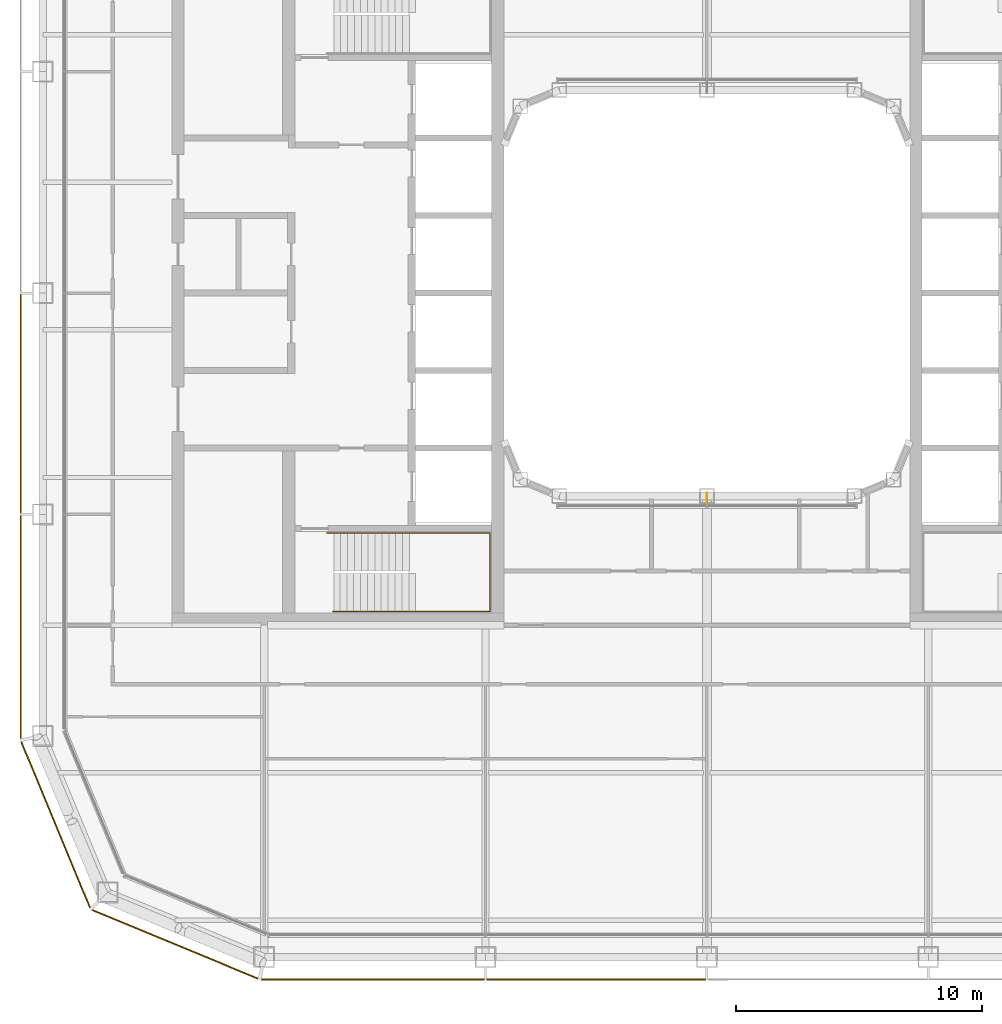
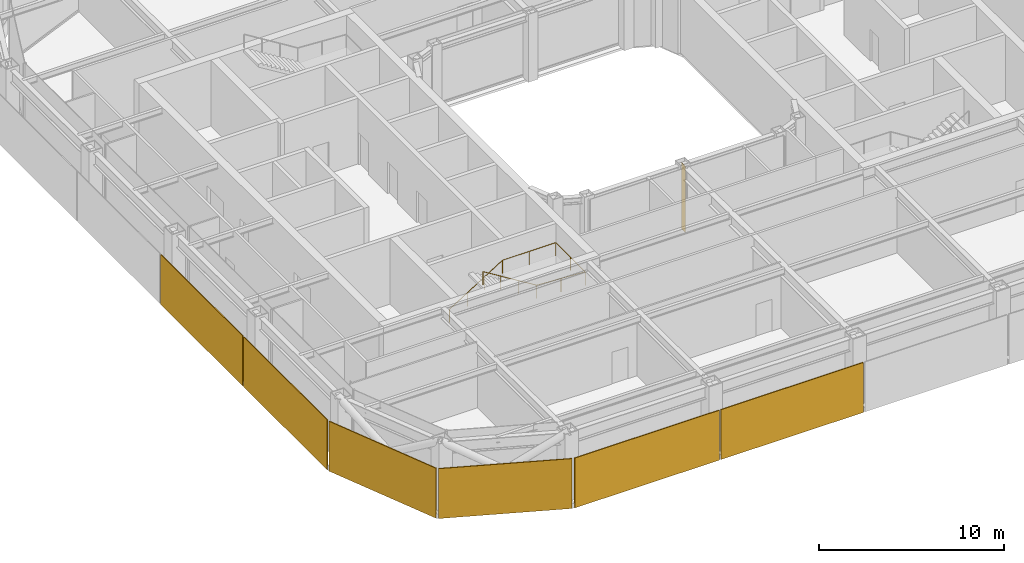
# One storey, part 19 of 23: 6 coverings, 1 railing, 1 shading device.
"""IFC4 building model written with IfcOpenShell, lengths in metres."""

from ifc_helpers import new_model, si_unit, direction, frame, origin, origin_2d, place, context, subcontext, project, spatial, rectangle, circle, extrude, material, layer, layer_set, type_object, element, save


model = new_model("IFC4")

# Units and contexts
model_context = context("Model", 3, precision=1e-05, world=origin(), true_north=direction((0.0, 1.0)))
body_context = subcontext(model_context, "Body", "Model", "MODEL_VIEW")
ifc_project = project(units=[si_unit("LENGTHUNIT", "METRE"), si_unit("AREAUNIT", "SQUARE_METRE"), si_unit("VOLUMEUNIT", "CUBIC_METRE"), si_unit("PLANEANGLEUNIT", "RADIAN"), si_unit("MASSUNIT", "GRAM", prefix="KILO")], contexts=[model_context])

# Site, building, storey
site_placement = place(None, origin())
site = spatial("IfcSite", under=ifc_project, at=site_placement, CompositionType="ELEMENT")
building_placement = place(site_placement, origin())
building = spatial("IfcBuilding", under=site, at=building_placement, Name="Siwar Civic Tower", CompositionType="ELEMENT")
storey_placement = place(building_placement, frame((0.0, 0.0, 206.199951171875)))
storey = spatial("IfcBuildingStorey", under=building, at=storey_placement, Name="L44", CompositionType="ELEMENT", Elevation=206.199951171875)

# Railing
ifc_material_1 = material(Name="Stainless steel", Category="steel")
railing_type = type_object("IfcRailingType", Name="CORE-STAIR-HANDRAIL", PredefinedType="HANDRAIL", material=ifc_material_1)
railing_placement = place(storey_placement, frame((-15.449951171875, -9.758056640625, 0.173095703125)))
element("IfcRailing", 1, at=railing_placement, inside=storey, type_object=railing_type, Name="Stair handrail ST2", PredefinedType="HANDRAIL", context=body_context, shape_type="SweptSolid", body=[
    extrude(circle(Radius=0.02001953125, at=origin_2d()), frame((0.0, 0.0, 0.8798828125), z_axis=(0.847063342986, 0.0, 0.531491950051), x_axis=(0.0, 1.0, 0.0)), (0.0, 0.0, 1.0), 3.90771484375),
    extrude(circle(Radius=0.02001953125, at=origin_2d()), frame((3.31005859375, 0.0, 2.956787109375), z_axis=(1.0, 0.0, 0.0), x_axis=(0.0, 1.0, 0.0)), (0.0, 0.0, 1.0), 3.331787109375),
    extrude(circle(Radius=0.02001953125, at=origin_2d()), frame((6.641845703125, 0.0, 2.956787109375), z_axis=(0.0, -1.0, 0.0), x_axis=(1.0, 0.0, 0.0)), (0.0, 0.0, 1.0), 3.183837890625),
    extrude(circle(Radius=0.02001953125, at=origin_2d()), frame((6.641845703125, -3.183837890625, 2.956787109375), z_axis=(-0.99837434197, 0.0, 0.056997134106), x_axis=(0.0, -1.0, 0.0)), (0.0, 0.0, 1.0), 3.036865234375),
    extrude(circle(Radius=0.02001953125, at=origin_2d()), frame((3.60986328125, -3.183837890625, 3.1298828125), z_axis=(-0.850606129759, 0.0, 0.525803396734), x_axis=(0.0, -1.0, 0.0)), (0.0, 0.0, 1.0), 3.949951171875),
    extrude(circle(Radius=0.02001953125, at=origin_2d()), origin(), (0.0, 0.0, 1.0), 0.85986328125),
    extrude(circle(Radius=0.02001953125, at=origin_2d()), frame((1.103271484375, 0.0, 0.6923828125)), (0.0, 0.0, 1.0), 0.85986328125),
    extrude(circle(Radius=0.02001953125, at=origin_2d()), frame((2.206787109375, 0.0, 1.384521484375)), (0.0, 0.0, 1.0), 0.85986328125),
    extrude(circle(Radius=0.02001953125, at=origin_2d()), frame((3.31005859375, 0.0, 2.076904296875)), (0.0, 0.0, 1.0), 0.85986328125),
    extrude(circle(Radius=0.02001953125, at=origin_2d()), frame((4.97607421875, 0.0, 2.076904296875)), (0.0, 0.0, 1.0), 0.85986328125),
    extrude(circle(Radius=0.02001953125, at=origin_2d()), frame((6.641845703125, 0.0, 2.076904296875)), (0.0, 0.0, 1.0), 0.85986328125),
    extrude(circle(Radius=0.02001953125, at=origin_2d()), frame((6.641845703125, -1.591796875, 2.076904296875)), (0.0, 0.0, 1.0), 0.85986328125),
    extrude(circle(Radius=0.02001953125, at=origin_2d()), frame((6.641845703125, -3.183837890625, 2.076904296875)), (0.0, 0.0, 1.0), 0.85986328125),
    extrude(circle(Radius=0.02001953125, at=origin_2d()), frame((5.1259765625, -3.183837890625, 2.16357421875)), (0.0, 0.0, 1.0), 0.85986328125),
    extrude(circle(Radius=0.02001953125, at=origin_2d()), frame((3.60986328125, -3.183837890625, 2.25)), (0.0, 0.0, 1.0), 0.85986328125),
    extrude(circle(Radius=0.02001953125, at=origin_2d()), frame((2.489990234375, -3.183837890625, 2.9423828125)), (0.0, 0.0, 1.0), 0.85986328125),
    extrude(circle(Radius=0.02001953125, at=origin_2d()), frame((1.369873046875, -3.183837890625, 3.634521484375)), (0.0, 0.0, 1.0), 0.85986328125),
    extrude(circle(Radius=0.02001953125, at=origin_2d()), frame((0.25, -3.183837890625, 4.326904296875)), (0.0, 0.0, 1.0), 0.85986328125),
])

# Shading device
ifc_material_2 = material(Name="Aluminium 6063-T6", Category="aluminium")
ifc_layer_1 = layer(ifc_material_2, 0.02001953125)
ifc_layer_set_1 = layer_set([ifc_layer_1], Name="Aluminium 6063-T6")
shading_device_type = type_object("IfcShadingDeviceType", Name="ENV-FIN", PredefinedType="JALOUSIE", material=ifc_layer_set_1)
shading_device_placement = place(storey_placement, frame((0.0, -8.344970703125, 0.0), z_axis=(0.0, 0.0, 1.0), x_axis=(1.0, 0.0, 0.0)))
element("IfcShadingDevice", 2, at=shading_device_placement, inside=storey, type_object=shading_device_type, Name="SUNSHADE fin WS 1", PredefinedType="JALOUSIE", context=body_context, shape_type="SweptSolid", body=[
    extrude(rectangle(XDim=0.02001953125, YDim=0.449951171875, at=origin_2d()), origin(), (0.0, 0.0, 1.0), 4.35009765625),
])

# Coverings
ifc_material_3 = material(Name="Perforated aluminium cassette, pale metal", Category="aluminium")
ifc_layer_2 = layer(ifc_material_3, 0.050048828125)
ifc_layer_set_2 = layer_set([ifc_layer_2], Name="Perforated aluminium cassette, pale metal")
covering_type_1 = type_object("IfcCoveringType", Name="ENV-OUTER SKIN OS-3", PredefinedType="CLADDING", material=ifc_layer_set_2)
covering_1_placement = place(storey_placement, frame((-27.89990234375, -4.5, -0.14990234375), z_axis=(0.0, 0.0, 1.0), x_axis=(0.0, -1.0, 0.0)))
element("IfcCovering", 3, at=covering_1_placement, inside=storey, type_object=covering_type_1, Name="OUTER SKIN OS-3 W 3", PredefinedType="CLADDING", context=body_context, shape_type="SweptSolid", body=[
    extrude(rectangle(XDim=8.89990234375, YDim=0.050048828125, at=origin_2d()), origin(), (0.0, 0.0, 1.0), 3.300048828125),
])
covering_2_placement = place(storey_placement, frame((-27.89990234375, -13.57958984375, -0.14990234375), z_axis=(0.0, 0.0, 1.0), x_axis=(0.0, -1.0, 0.0)))
element("IfcCovering", 4, at=covering_2_placement, inside=storey, type_object=covering_type_1, Name="OUTER SKIN OS-3 W 4", PredefinedType="CLADDING", context=body_context, shape_type="SweptSolid", body=[
    extrude(rectangle(XDim=9.05908203125, YDim=0.050048828125, at=origin_2d()), origin(), (0.0, 0.0, 1.0), 3.300048828125),
])
ifc_material_4 = material(Name="Perforated aluminium cassette, pale metal", Category="aluminium")
ifc_layer_3 = layer(ifc_material_4, 0.054931640625)
ifc_layer_set_3 = layer_set([ifc_layer_3], Name="Perforated aluminium cassette, pale metal")
covering_type_2 = type_object("IfcCoveringType", Name="ENV-OUTER SKIN OS-4", PredefinedType="CLADDING", material=ifc_layer_set_3)
covering_3_placement = place(storey_placement, frame((-13.57958984375, -27.89990234375, -0.14990234375), z_axis=(0.0, 0.0, 1.0), x_axis=(1.0, 0.0, 0.0)))
element("IfcCovering", 5, at=covering_3_placement, inside=storey, type_object=covering_type_2, Name="OUTER SKIN OS-4 S 1", PredefinedType="CLADDING", context=body_context, shape_type="SweptSolid", body=[
    extrude(rectangle(XDim=9.05908203125, YDim=0.054931640625, at=origin_2d()), origin(), (0.0, 0.0, 1.0), 3.300048828125),
])
covering_4_placement = place(storey_placement, frame((-4.5, -27.89990234375, -0.14990234375), z_axis=(0.0, 0.0, 1.0), x_axis=(1.0, 0.0, 0.0)))
element("IfcCovering", 6, at=covering_4_placement, inside=storey, type_object=covering_type_2, Name="OUTER SKIN OS-4 S 2", PredefinedType="CLADDING", context=body_context, shape_type="SweptSolid", body=[
    extrude(rectangle(XDim=8.89990234375, YDim=0.054931640625, at=origin_2d()), origin(), (0.0, 0.0, 1.0), 3.300048828125),
])
for number, where, z_axis, x_axis, name in (
    (7, (-26.476318359375, -21.615966796875, -0.14990234375), (0.0, 0.0, 1.0), (0.382683432365, -0.923879532511, 0.0), "OUTER SKIN OS-4 SW1 1"),
    (8, (-21.615966796875, -26.476318359375, -0.14990234375), (0.0, 0.0, 1.0), (0.923879532511, -0.382683432365, 0.0), "OUTER SKIN OS-4 SW2 1"),
):
    element("IfcCovering", number, at=place(storey_placement, frame(where, z_axis=z_axis, x_axis=x_axis)), inside=storey, type_object=covering_type_2, Name=name, PredefinedType="CLADDING", context=body_context, shape_type="SweptSolid", body=[
        extrude(rectangle(XDim=7.300048828125, YDim=0.054931640625, at=origin_2d()), origin(), (0.0, 0.0, 1.0), 3.300048828125),
    ])

save(model, "model.ifc")
